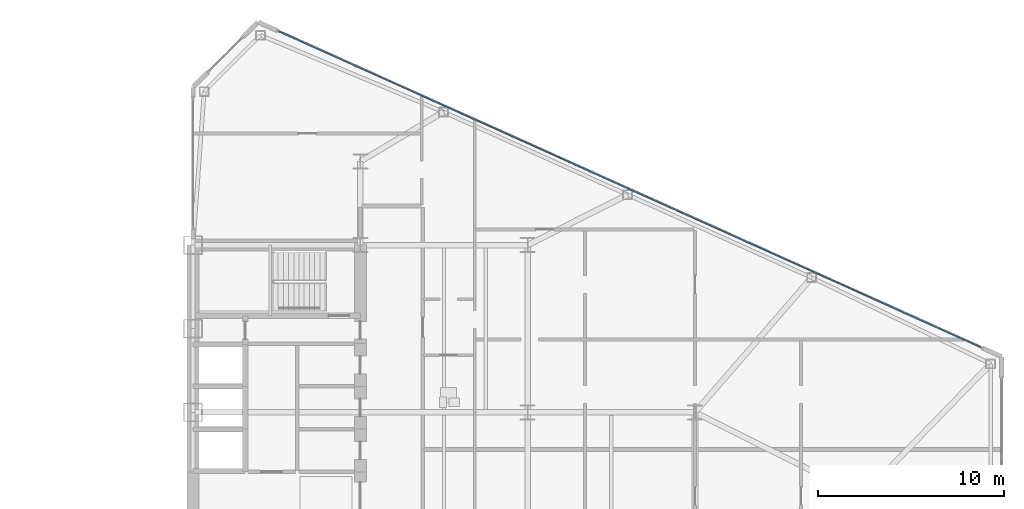
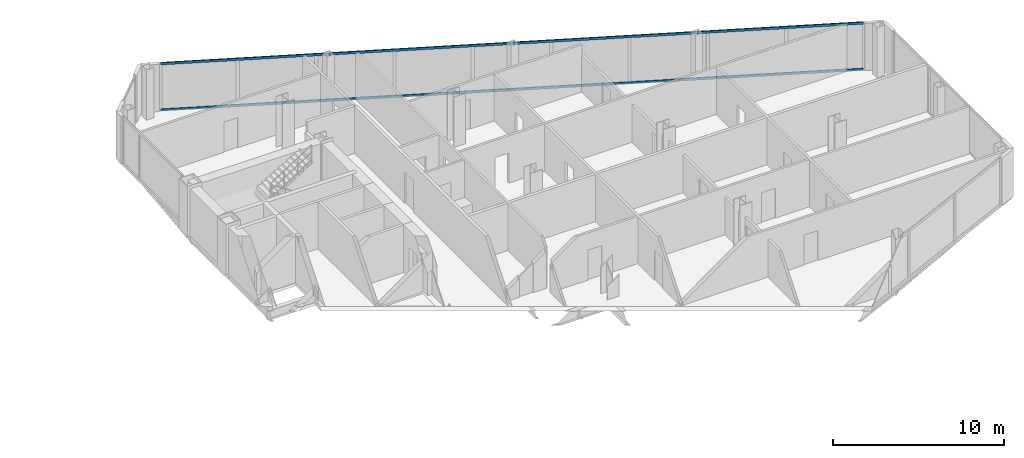
# One storey, part 14 of 27: 2 members, 1 element without a shape of its own.
"""IFC4 building model written with IfcOpenShell, lengths in metres."""

from ifc_helpers import new_model, si_unit, direction, frame, origin, origin_2d, place, context, subcontext, project, spatial, rectangle, extrude, source, transform, mapped, material, layer, layer_set, material_profile, profile_set, type_object, type_shapes, element, aggregate, save


model = new_model("IFC4")

# Units and contexts
model_context = context("Model", 3, precision=1e-05, world=origin(), true_north=direction((0.0, 1.0)))
body_context = subcontext(model_context, "Body", "Model", "MODEL_VIEW")
ifc_project = project(units=[si_unit("LENGTHUNIT", "METRE"), si_unit("AREAUNIT", "SQUARE_METRE"), si_unit("VOLUMEUNIT", "CUBIC_METRE"), si_unit("PLANEANGLEUNIT", "RADIAN"), si_unit("MASSUNIT", "GRAM", prefix="KILO")], contexts=[model_context])

# Site, building, storey
site_placement = place(None, origin())
site = spatial("IfcSite", under=ifc_project, at=site_placement, CompositionType="ELEMENT")
building_placement = place(site_placement, origin())
building = spatial("IfcBuilding", under=site, at=building_placement, Name="Seokmaru Belvedere", CompositionType="ELEMENT")
storey_placement = place(building_placement, frame((0.0, 0.0, 99.60009765625)))
storey = spatial("IfcBuildingStorey", under=building, at=storey_placement, Name="L26", CompositionType="ELEMENT", Elevation=99.60009765625)

# Curtain wall, members
ifc_material_1 = material(Name="Bronze Triple Insulating Glass", Category="glass")
ifc_layer = layer(ifc_material_1, 0.195068359375)
ifc_layer_set = layer_set([ifc_layer], Name="Bronze Triple Insulating Glass")
curtain_wall_type = type_object("IfcCurtainWallType", Name="Lower-Mid Tapered Curtain Wall System CW-3", PredefinedType="NOTDEFINED", material=ifc_layer_set)
curtain_wall_placement = place(storey_placement, origin())
curtain_wall = element("IfcCurtainWall", 1, at=curtain_wall_placement, inside=storey, type_object=curtain_wall_type, Name="L26 Curtain Wall EF3", PredefinedType="NOTDEFINED")
ifc_material_2 = material(Name="Anodised Bronze Aluminium", Category="aluminium")
ifc_material_profile = material_profile(ifc_material_2, rectangle(XDim=0.070068359375, YDim=0.1650390625, at=origin_2d()), Name="CW-T-70x165")
ifc_profile_set = profile_set([ifc_material_profile], Name="Anodised Bronze Aluminium")
member_type = type_object("IfcMemberType", Name="Bronze Unitised Transom 70x165", PredefinedType="USERDEFINED", material=ifc_profile_set)
shared_shape = source(origin(), body_context, "Body", "SweptSolid", [
    extrude(rectangle(XDim=0.070068359375, YDim=0.1650390625, at=origin_2d()), origin(), (0.0, 0.0, 1.0), 41.423583984375),
])
type_shapes(member_type, [shared_shape])
member_1_placement = place(storey_placement, frame((69.887451171875, 8.00048828125, 0.034912109375), z_axis=(-0.911918637916, 0.410371048956, 0.0), x_axis=(-0.410371048956, -0.911918637916, 0.0)))
member_1 = element("IfcMember", 2, at=member_1_placement, type_object=member_type, Name="CW:L26:EF3 Continuous Transom 1", ObjectType="TRANSOM", PredefinedType="USERDEFINED", context=body_context, shape_type="MappedRepresentation", body=[
    mapped(shared_shape, transform((0.0, 0.0, 0.0), scale=1.0)),
])
member_2_placement = place(storey_placement, frame((69.887451171875, 8.00048828125, 3.344970703125), z_axis=(-0.911918637916, 0.410371048956, 0.0), x_axis=(-0.410371048956, -0.911918637916, 0.0)))
member_2 = element("IfcMember", 3, at=member_2_placement, type_object=member_type, Name="CW:L26:EF3 Continuous Transom 2", ObjectType="TRANSOM", PredefinedType="USERDEFINED", context=body_context, shape_type="MappedRepresentation", body=[
    mapped(shared_shape, transform((0.0, 0.0, 0.0), scale=1.0)),
])
aggregate(curtain_wall, [member_1, member_2])

save(model, "model.ifc")
